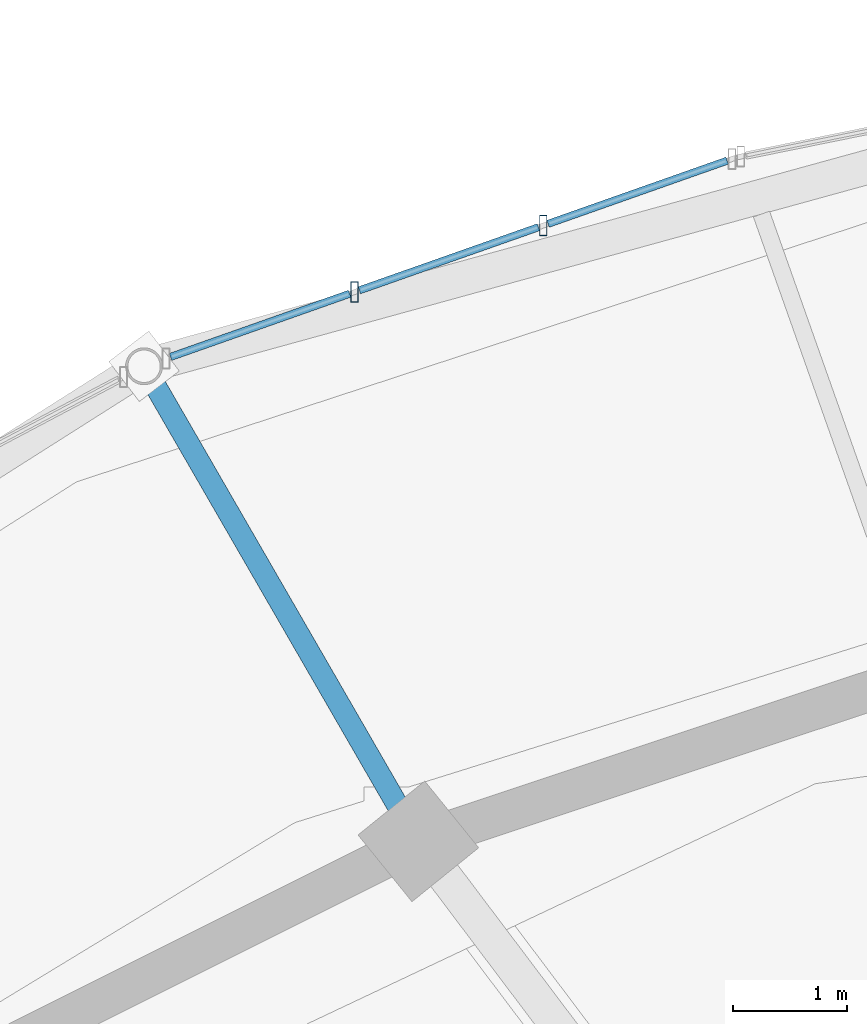
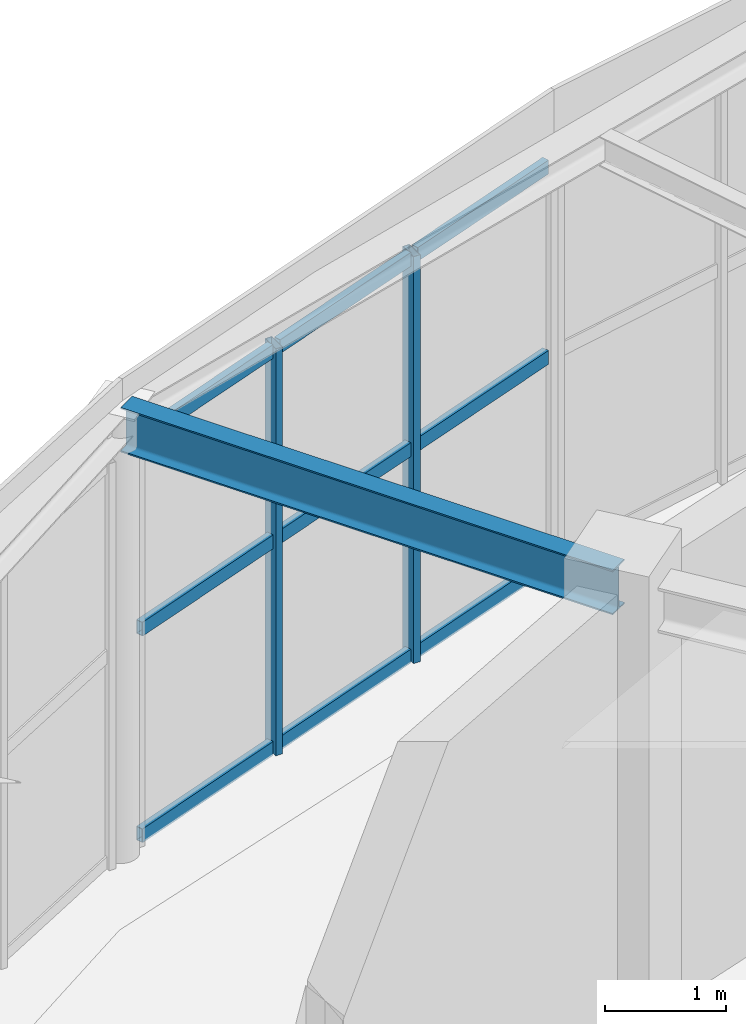
# One storey, part 55 of 108: 11 members, 1 beam, 1 element without a shape of its own.
"""IFC4 building model written with IfcOpenShell, lengths in metres."""

from ifc_helpers import new_model, si_unit, direction, frame, origin, origin_2d, place, context, subcontext, project, spatial, hollow_rectangle, i_section, extrude, material, material_profile, profile_set, type_object, element, aggregate, save


model = new_model("IFC4")

# Units and contexts
model_context = context("Model", 3, precision=1e-05, world=origin(), true_north=direction((0.0, 1.0)))
body_context = subcontext(model_context, "Body", "Model", "MODEL_VIEW")
ifc_project = project(units=[si_unit("LENGTHUNIT", "METRE"), si_unit("AREAUNIT", "SQUARE_METRE"), si_unit("VOLUMEUNIT", "CUBIC_METRE"), si_unit("PLANEANGLEUNIT", "RADIAN"), si_unit("MASSUNIT", "GRAM", prefix="KILO")], contexts=[model_context])

# Site, building, storey
site_placement = place(None, origin())
site = spatial("IfcSite", under=ifc_project, at=site_placement, CompositionType="ELEMENT")
building_placement = place(site_placement, origin())
building = spatial("IfcBuilding", under=site, at=building_placement, Name="Tarnveldt Headland Concert Hall", CompositionType="ELEMENT")
storey_placement = place(building_placement, frame((0.0, 0.0, 9.60009765625)))
storey = spatial("IfcBuildingStorey", under=building, at=storey_placement, Name="L02", CompositionType="ELEMENT", Elevation=9.60009765625)

# Curtain wall, members
ifc_material_1 = material(Name="Marine-anodised aluminium EN AW-6063-T6", Category="aluminium")
curtain_wall_type = type_object("IfcCurtainWallType", Name="CW-F3", PredefinedType="NOTDEFINED", material=ifc_material_1)
curtain_wall_placement = place(storey_placement, origin())
curtain_wall = element("IfcCurtainWall", 1, at=curtain_wall_placement, inside=storey, type_object=curtain_wall_type, Name="Curtain wall CW-L02-071", PredefinedType="NOTDEFINED")
ifc_material_profile_1 = material_profile(ifc_material_1, hollow_rectangle(XDim=0.06494140625, YDim=0.179931640625, WallThickness=0.00390625, at=origin_2d()), Name="ALU MULLION 65x180x4", Category="aluminium")
ifc_profile_set_1 = profile_set([ifc_material_profile_1], Name="Marine-anodised aluminium EN AW-6063-T6")
member_type_1 = type_object("IfcMemberType", Name="ML-180", PredefinedType="MULLION", material=ifc_profile_set_1)
member_1_placement = place(storey_placement, frame((70.5927734375, 77.208984375, 0.0), z_axis=(0.0, 0.0, 1.0), x_axis=(1.0, 0.0, 0.0)))
member_1 = element("IfcMember", 2, at=member_1_placement, type_object=member_type_1, Name="Mullion CW-L02-071-2", PredefinedType="MULLION", context=body_context, shape_type="SweptSolid", body=[
    extrude(hollow_rectangle(XDim=0.06494140625, YDim=0.179931640625, WallThickness=0.00390625, at=origin_2d()), origin(), (0.0, 0.0, 1.0), 4.10791015625),
])
member_2_placement = place(storey_placement, frame((68.941650390625, 76.626708984375, 0.0), z_axis=(0.0, 0.0, 1.0), x_axis=(1.0, 0.0, 0.0)))
member_2 = element("IfcMember", 3, at=member_2_placement, type_object=member_type_1, Name="Mullion CW-L02-071-3", PredefinedType="MULLION", context=body_context, shape_type="SweptSolid", body=[
    extrude(hollow_rectangle(XDim=0.06494140625, YDim=0.179931640625, WallThickness=0.00390625, at=origin_2d()), origin(), (0.0, 0.0, 1.0), 4.10791015625),
])

# Beam
ifc_material_2 = material(Name="Steel S355", Category="steel")
ifc_material_profile_2 = material_profile(ifc_material_2, i_section(OverallWidth=0.18994140625, OverallDepth=0.449951171875, WebThickness=0.009521484375, FlangeThickness=0.0146484375, FilletRadius=0.02099609375, at=origin_2d()), Name="IPE450", Category="steel")
ifc_profile_set_2 = profile_set([ifc_material_profile_2], Name="Steel S355")
beam_type = type_object("IfcBeamType", Name="SB-IPE450", PredefinedType="BEAM", material=ifc_profile_set_2)
beam_placement = place(storey_placement, frame((69.47998046875, 71.85498046875, 4.344970703125), z_axis=(-0.500016218704, 0.866016039709, 0.0), x_axis=(-0.866016039709, -0.500016218704, 0.0)))
element("IfcBeam", 4, at=beam_placement, inside=storey, type_object=beam_type, Name="Framing beam L02-1014", PredefinedType="BEAM", context=body_context, shape_type="SweptSolid", body=[
    extrude(i_section(OverallWidth=0.18994140625, OverallDepth=0.449951171875, WebThickness=0.009521484375, FlangeThickness=0.0146484375, FilletRadius=0.02099609375, at=origin_2d()), origin(), (0.0, 0.0, 1.0), 4.699951171875),
])

# Member
ifc_material_profile_3 = material_profile(ifc_material_1, hollow_rectangle(XDim=0.06494140625, YDim=0.139892578125, WallThickness=0.00390625, at=origin_2d()), Name="ALU TRANSOM 65x140x4", Category="aluminium")
ifc_profile_set_3 = profile_set([ifc_material_profile_3], Name="Marine-anodised aluminium EN AW-6063-T6")
member_type_2 = type_object("IfcMemberType", Name="TR-140", PredefinedType="MEMBER", material=ifc_profile_set_3)
member_3_placement = place(storey_placement, frame((72.201904296875, 77.7763671875, 0.0498046875), z_axis=(-0.94306083262, -0.332620303015, 0.0), x_axis=(0.332620303015, -0.94306083262, 0.0)))
member_3 = element("IfcMember", 5, at=member_3_placement, type_object=member_type_2, Name="Transom CW-L02-071-1-1", PredefinedType="MEMBER", context=body_context, shape_type="SweptSolid", body=[
    extrude(hollow_rectangle(XDim=0.06494140625, YDim=0.139892578125, WallThickness=0.00390625, at=origin_2d()), origin(), (0.0, 0.0, 1.0), 1.661865234375),
])

member_4_placement = place(storey_placement, frame((72.201904296875, 77.7763671875, 2.135986328125), z_axis=(-0.94306083262, -0.332620303015, 0.0), x_axis=(0.332620303015, -0.94306083262, 0.0)))
member_4 = element("IfcMember", 6, at=member_4_placement, type_object=member_type_2, Name="Transom CW-L02-071-1-2", PredefinedType="MEMBER", context=body_context, shape_type="SweptSolid", body=[
    extrude(hollow_rectangle(XDim=0.06494140625, YDim=0.139892578125, WallThickness=0.00390625, at=origin_2d()), origin(), (0.0, 0.0, 1.0), 1.661865234375),
])

member_5_placement = place(storey_placement, frame((72.201904296875, 77.7763671875, 4.057861328125), z_axis=(-0.94306083262, -0.332620303015, 0.0), x_axis=(0.332620303015, -0.94306083262, 0.0)))
member_5 = element("IfcMember", 7, at=member_5_placement, type_object=member_type_2, Name="Transom CW-L02-071-1-3", PredefinedType="MEMBER", context=body_context, shape_type="SweptSolid", body=[
    extrude(hollow_rectangle(XDim=0.06494140625, YDim=0.139892578125, WallThickness=0.00390625, at=origin_2d()), origin(), (0.0, 0.0, 1.0), 1.661865234375),
])

member_6_placement = place(storey_placement, frame((70.55078125, 77.194091796875, 0.0498046875), z_axis=(-0.943106910947, -0.332489630702, 0.0), x_axis=(0.332489630702, -0.943106910947, 0.0)))
member_6 = element("IfcMember", 8, at=member_6_placement, type_object=member_type_2, Name="Transom CW-L02-071-2-1", PredefinedType="MEMBER", context=body_context, shape_type="SweptSolid", body=[
    extrude(hollow_rectangle(XDim=0.06494140625, YDim=0.139892578125, WallThickness=0.00390625, at=origin_2d()), origin(), (0.0, 0.0, 1.0), 1.66162109375),
])

member_7_placement = place(storey_placement, frame((70.55078125, 77.194091796875, 2.135986328125), z_axis=(-0.943106910947, -0.332489630702, 0.0), x_axis=(0.332489630702, -0.943106910947, 0.0)))
member_7 = element("IfcMember", 9, at=member_7_placement, type_object=member_type_2, Name="Transom CW-L02-071-2-2", PredefinedType="MEMBER", context=body_context, shape_type="SweptSolid", body=[
    extrude(hollow_rectangle(XDim=0.06494140625, YDim=0.139892578125, WallThickness=0.00390625, at=origin_2d()), origin(), (0.0, 0.0, 1.0), 1.66162109375),
])

member_8_placement = place(storey_placement, frame((70.55078125, 77.194091796875, 4.057861328125), z_axis=(-0.943106910947, -0.332489630702, 0.0), x_axis=(0.332489630702, -0.943106910947, 0.0)))
member_8 = element("IfcMember", 10, at=member_8_placement, type_object=member_type_2, Name="Transom CW-L02-071-2-3", PredefinedType="MEMBER", context=body_context, shape_type="SweptSolid", body=[
    extrude(hollow_rectangle(XDim=0.06494140625, YDim=0.139892578125, WallThickness=0.00390625, at=origin_2d()), origin(), (0.0, 0.0, 1.0), 1.66162109375),
])

member_9_placement = place(storey_placement, frame((68.899658203125, 76.612060546875, 0.0498046875), z_axis=(-0.94306083262, -0.332620303015, 0.0), x_axis=(0.332620303015, -0.94306083262, 0.0)))
member_9 = element("IfcMember", 11, at=member_9_placement, type_object=member_type_2, Name="Transom CW-L02-071-3-1", PredefinedType="MEMBER", context=body_context, shape_type="SweptSolid", body=[
    extrude(hollow_rectangle(XDim=0.06494140625, YDim=0.139892578125, WallThickness=0.00390625, at=origin_2d()), origin(), (0.0, 0.0, 1.0), 1.661865234375),
])

member_10_placement = place(storey_placement, frame((68.899658203125, 76.612060546875, 2.135986328125), z_axis=(-0.94306083262, -0.332620303015, 0.0), x_axis=(0.332620303015, -0.94306083262, 0.0)))
member_10 = element("IfcMember", 12, at=member_10_placement, type_object=member_type_2, Name="Transom CW-L02-071-3-2", PredefinedType="MEMBER", context=body_context, shape_type="SweptSolid", body=[
    extrude(hollow_rectangle(XDim=0.06494140625, YDim=0.139892578125, WallThickness=0.00390625, at=origin_2d()), origin(), (0.0, 0.0, 1.0), 1.661865234375),
])

member_11_placement = place(storey_placement, frame((68.899658203125, 76.612060546875, 4.057861328125), z_axis=(-0.94306083262, -0.332620303015, 0.0), x_axis=(0.332620303015, -0.94306083262, 0.0)))
member_11 = element("IfcMember", 13, at=member_11_placement, type_object=member_type_2, Name="Transom CW-L02-071-3-3", PredefinedType="MEMBER", context=body_context, shape_type="SweptSolid", body=[
    extrude(hollow_rectangle(XDim=0.06494140625, YDim=0.139892578125, WallThickness=0.00390625, at=origin_2d()), origin(), (0.0, 0.0, 1.0), 1.661865234375),
])

aggregate(curtain_wall, [member_1, member_2, member_3, member_4, member_5, member_6, member_7, member_8, member_9, member_10, member_11])

save(model, "model.ifc")
